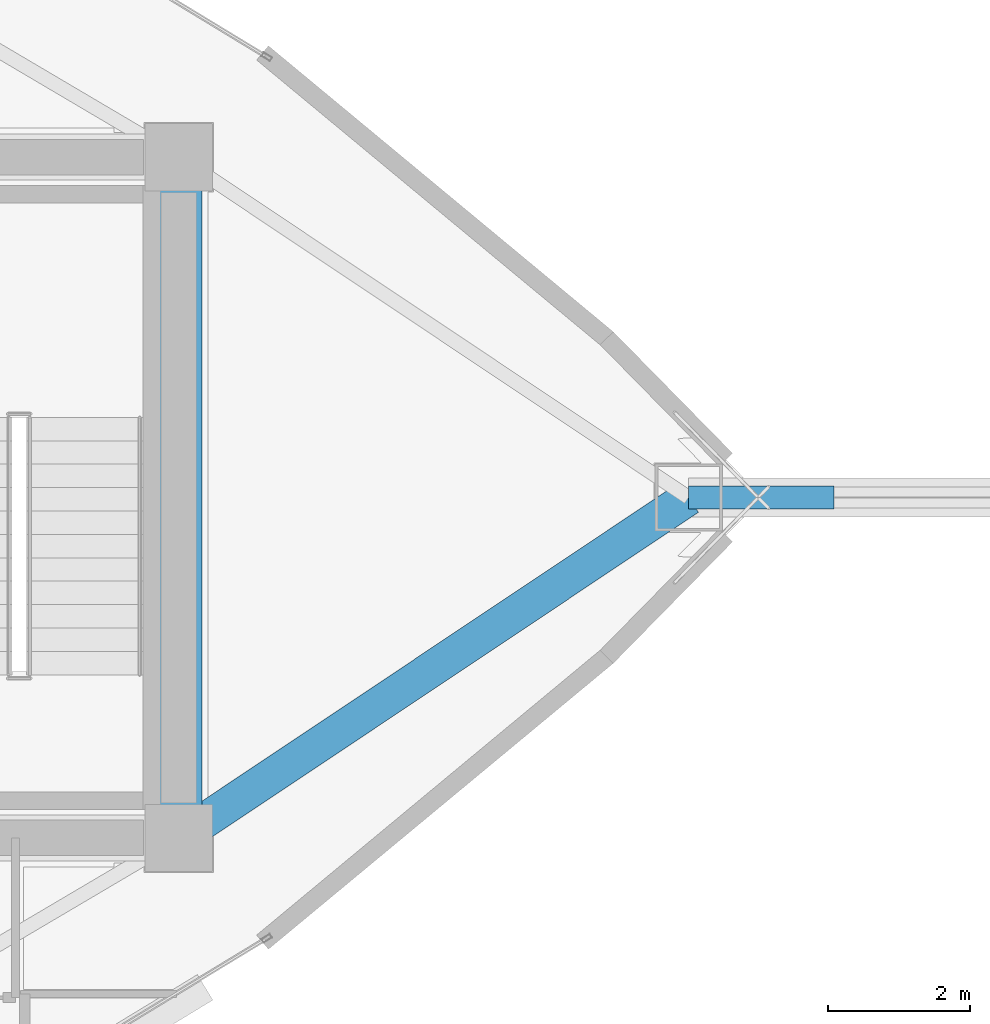
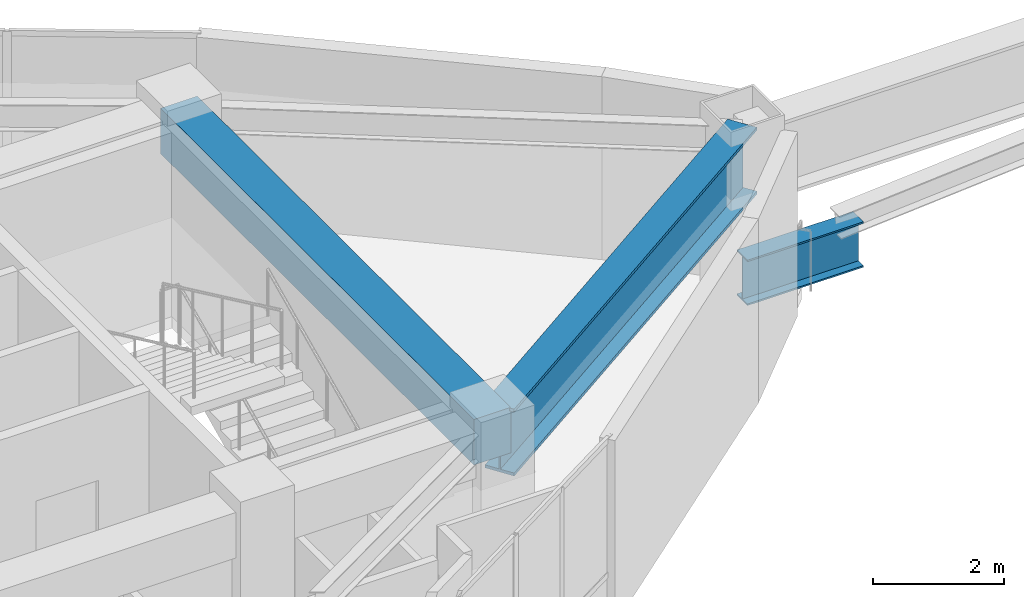
# One storey, part 6 of 15: 3 beams.
"""IFC4 building model written with IfcOpenShell, lengths in metres."""

from ifc_helpers import new_model, si_unit, direction, frame, origin, origin_2d, place, context, subcontext, project, spatial, rectangle, i_section, extrude, material, material_profile, profile_set, type_object, element, save


model = new_model("IFC4")

# Units and contexts
model_context = context("Model", 3, precision=1e-05, world=origin(), true_north=direction((0.0, 1.0)))
body_context = subcontext(model_context, "Body", "Model", "MODEL_VIEW")
ifc_project = project(units=[si_unit("LENGTHUNIT", "METRE"), si_unit("AREAUNIT", "SQUARE_METRE"), si_unit("VOLUMEUNIT", "CUBIC_METRE"), si_unit("PLANEANGLEUNIT", "RADIAN"), si_unit("MASSUNIT", "GRAM", prefix="KILO")], contexts=[model_context])

# Site, building, storey
site_placement = place(None, origin())
site = spatial("IfcSite", under=ifc_project, at=site_placement, CompositionType="ELEMENT")
building_placement = place(site_placement, origin())
building = spatial("IfcBuilding", under=site, at=building_placement, Name="Menara Vayukalpa", CompositionType="ELEMENT")
storey_placement = place(building_placement, frame((0.0, 0.0, 230.699951171875)))
storey = spatial("IfcBuildingStorey", under=building, at=storey_placement, Name="L58", CompositionType="ELEMENT", Elevation=230.699951171875)

# Beams
ifc_material_1 = material(Name="Concrete C60/75", Category="concrete")
ifc_material_profile_1 = material_profile(ifc_material_1, rectangle(XDim=0.64990234375, YDim=0.85009765625, at=origin_2d()), Name="RC 650x850")
ifc_profile_set_1 = profile_set([ifc_material_profile_1], Name="Concrete C60/75")
beam_type_1 = type_object("IfcBeamType", Name="BM-CB1", PredefinedType="BEAM", material=ifc_profile_set_1)
beam_1_placement = place(storey_placement, frame((33.39990234375, 17.199951171875, 3.01513671875), z_axis=(0.0, 1.0, 0.0), x_axis=(-1.0, 0.0, 0.0)))
element("IfcBeam", 1, at=beam_1_placement, inside=storey, type_object=beam_type_1, Name="L58 Core Tie Beam CBR8", PredefinedType="BEAM", context=body_context, shape_type="SweptSolid", body=[
    extrude(rectangle(XDim=0.64990234375, YDim=0.85009765625, at=origin_2d()), origin(), (0.0, 0.0, 1.0), 9.60009765625),
])
ifc_material_2 = material(Name="Steel S355", Category="steel")
ifc_material_profile_2 = material_profile(ifc_material_2, i_section(OverallWidth=0.320068359375, OverallDepth=0.85009765625, WebThickness=0.01611328125, FlangeThickness=0.030029296875, at=origin_2d()), Name="WF 850x320x16x30")
ifc_profile_set_2 = profile_set([ifc_material_profile_2], Name="Steel S355")
beam_type_2 = type_object("IfcBeamType", Name="BM-PG2E", PredefinedType="BEAM", material=ifc_profile_set_2)
beam_2_placement = place(storey_placement, frame((40.590576171875, 22.0, 0.550048828125), z_axis=(1.0, 0.0, 0.0), x_axis=(0.0, 1.0, 0.0)))
element("IfcBeam", 2, at=beam_2_placement, inside=storey, type_object=beam_type_2, Name="L58 SB5 Exterior Outrigger Corbel Bracket 01", PredefinedType="BEAM", context=body_context, shape_type="SweptSolid", body=[
    extrude(i_section(OverallWidth=0.320068359375, OverallDepth=0.85009765625, WebThickness=0.01611328125, FlangeThickness=0.030029296875, at=origin_2d()), origin(), (0.0, 0.0, 1.0), 2.0498046875),
])
ifc_material_3 = material(Name="Steel S460", Category="steel")
ifc_material_profile_3 = material_profile(ifc_material_3, i_section(OverallWidth=0.5, OverallDepth=1.25, WebThickness=0.028076171875, FlangeThickness=0.054931640625, at=origin_2d()), Name="WG 1250x500x28x55")
ifc_profile_set_3 = profile_set([ifc_material_profile_3], Name="Steel S460")
beam_type_3 = type_object("IfcBeamType", Name="BM-TG2", PredefinedType="BEAM", material=ifc_profile_set_3)
beam_3_placement = place(storey_placement, frame((33.60791015625, 17.3388671875, 2.81494140625), z_axis=(0.831719080732, 0.555196695547, 0.0), x_axis=(-0.555196695547, 0.831719080732, 0.0)))
element("IfcBeam", 3, at=beam_3_placement, inside=storey, type_object=beam_type_3, Name="L58 Primary Radial Girder RG01", PredefinedType="BEAM", context=body_context, shape_type="SweptSolid", body=[
    extrude(i_section(OverallWidth=0.5, OverallDepth=1.25, WebThickness=0.028076171875, FlangeThickness=0.054931640625, at=origin_2d()), origin(), (0.0, 0.0, 1.0), 8.3955078125),
])

save(model, "model.ifc")
